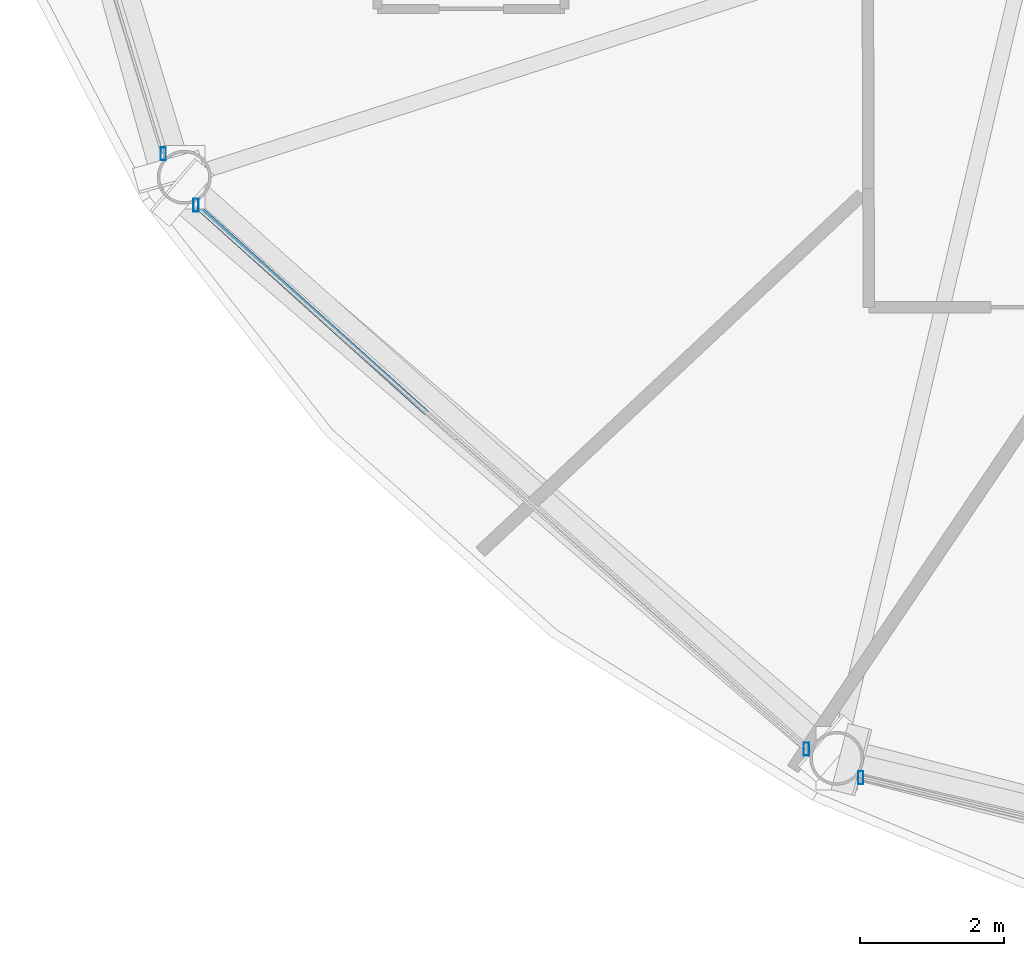
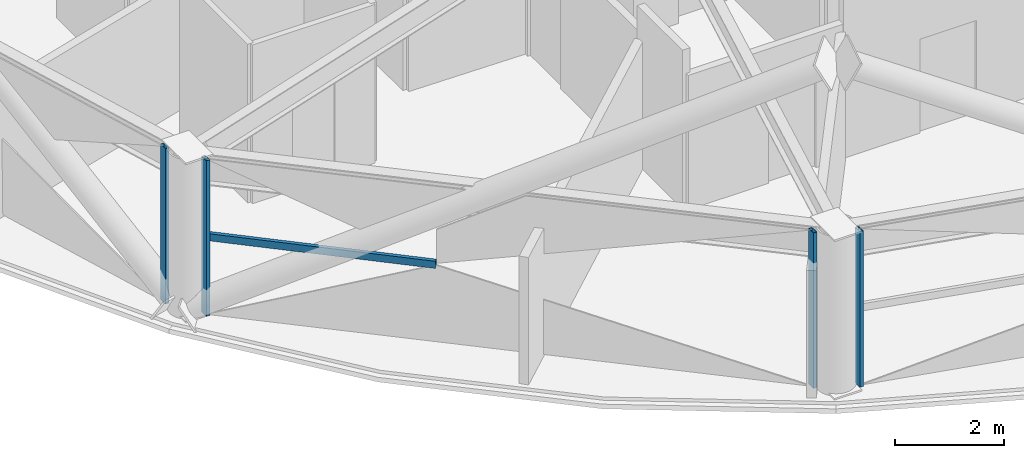
# One storey, part 2 of 29: 5 members, 3 elements without a shape of their own.
"""IFC4 building model written with IfcOpenShell, lengths in metres."""

from ifc_helpers import new_model, si_unit, direction, frame, origin, origin_2d, place, context, subcontext, project, spatial, hollow_rectangle, extrude, material, layer, layer_set, material_profile, profile_set, type_object, element, aggregate, save


model = new_model("IFC4")

# Units and contexts
model_context = context("Model", 3, precision=1e-05, world=origin(), true_north=direction((0.0, 1.0)))
body_context = subcontext(model_context, "Body", "Model", "MODEL_VIEW")
ifc_project = project(units=[si_unit("LENGTHUNIT", "METRE"), si_unit("AREAUNIT", "SQUARE_METRE"), si_unit("VOLUMEUNIT", "CUBIC_METRE"), si_unit("PLANEANGLEUNIT", "RADIAN"), si_unit("MASSUNIT", "GRAM", prefix="KILO")], contexts=[model_context])

# Site, building, storey
site_placement = place(None, origin())
site = spatial("IfcSite", under=ifc_project, at=site_placement, CompositionType="ELEMENT")
building_placement = place(site_placement, origin())
building = spatial("IfcBuilding", under=site, at=building_placement, Name="Vantalir Tower", CompositionType="ELEMENT")
storey_placement = place(building_placement, frame((0.0, 0.0, 157.199951171875)))
storey = spatial("IfcBuildingStorey", under=building, at=storey_placement, Name="L39", CompositionType="ELEMENT", Elevation=157.199951171875)

# Curtain wall, member
ifc_material_1 = material(Name="Champagne-silver PVDF aluminium and double-silver Low-E glass", Category="aluminium")
ifc_layer = layer(ifc_material_1, 0.199951171875)
ifc_layer_set = layer_set([ifc_layer], Name="Champagne-silver PVDF aluminium and double-silver Low-E glass")
curtain_wall_type = type_object("IfcCurtainWallType", Name="CW-DIAMOND-Z2", PredefinedType="USERDEFINED", material=ifc_layer_set)
curtain_wall_1_placement = place(storey_placement, origin())
curtain_wall_1 = element("IfcCurtainWall", 1, at=curtain_wall_1_placement, inside=storey, type_object=curtain_wall_type, Name="L39 Quilted Pyramid-Diamond Curtain Wall S07", ObjectType="UNITISED CURTAIN WALL", PredefinedType="USERDEFINED")
ifc_material_2 = material(Name="Champagne-silver PVDF aluminium 6063-T6", Category="aluminium")
ifc_material_profile_1 = material_profile(ifc_material_2, hollow_rectangle(XDim=0.074951171875, YDim=0.179931640625, WallThickness=0.00390625, at=origin_2d()), Name="Champagne-silver PVDF aluminium 6063-T6")
ifc_profile_set_1 = profile_set([ifc_material_profile_1], Name="Champagne-silver PVDF aluminium 6063-T6")
member_type_1 = type_object("IfcMemberType", Name="CWM-180x75", PredefinedType="MULLION", material=ifc_profile_set_1)
member_1_placement = place(storey_placement, frame((9.74609375, 14.291015625, 0.045166015625), z_axis=(0.0, 0.0, 1.0), x_axis=(1.0, 0.0, 0.0)))
member_1 = element("IfcMember", 2, at=member_1_placement, type_object=member_type_1, Name="CW-L39-S07 Mullion 2", PredefinedType="MULLION", context=body_context, shape_type="SweptSolid", body=[
    extrude(hollow_rectangle(XDim=0.074951171875, YDim=0.179931640625, WallThickness=0.00390625, at=origin_2d()), origin(), (0.0, 0.0, 1.0), 3.47998046875),
])
aggregate(curtain_wall_1, [member_1])

# Curtain wall, members
curtain_wall_2_placement = place(storey_placement, origin())
curtain_wall_2 = element("IfcCurtainWall", 3, at=curtain_wall_2_placement, inside=storey, type_object=curtain_wall_type, Name="L39 Quilted Pyramid-Diamond Curtain Wall S08", ObjectType="UNITISED CURTAIN WALL", PredefinedType="USERDEFINED")
member_2_placement = place(storey_placement, frame((10.200927734375, 13.576904296875, 0.045166015625), z_axis=(0.0, 0.0, 1.0), x_axis=(1.0, 0.0, 0.0)))
member_2 = element("IfcMember", 4, at=member_2_placement, type_object=member_type_1, Name="CW-L39-S08 Mullion 1", PredefinedType="MULLION", context=body_context, shape_type="SweptSolid", body=[
    extrude(hollow_rectangle(XDim=0.074951171875, YDim=0.179931640625, WallThickness=0.00390625, at=origin_2d()), origin(), (0.0, 0.0, 1.0), 3.47998046875),
])
member_3_placement = place(storey_placement, frame((18.68505859375, 6.01611328125, 0.045166015625), z_axis=(0.0, 0.0, 1.0), x_axis=(1.0, 0.0, 0.0)))
member_3 = element("IfcMember", 5, at=member_3_placement, type_object=member_type_1, Name="CW-L39-S08 Mullion 2", PredefinedType="MULLION", context=body_context, shape_type="SweptSolid", body=[
    extrude(hollow_rectangle(XDim=0.074951171875, YDim=0.179931640625, WallThickness=0.00390625, at=origin_2d()), origin(), (0.0, 0.0, 1.0), 3.47998046875),
])

# Curtain wall, member
curtain_wall_3_placement = place(storey_placement, origin())
curtain_wall_3 = element("IfcCurtainWall", 6, at=curtain_wall_3_placement, inside=storey, type_object=curtain_wall_type, Name="L39 Quilted Pyramid-Diamond Curtain Wall S09", ObjectType="UNITISED CURTAIN WALL", PredefinedType="USERDEFINED")
member_4_placement = place(storey_placement, frame((19.44091796875, 5.62109375, 0.045166015625), z_axis=(0.0, 0.0, 1.0), x_axis=(1.0, 0.0, 0.0)))
member_4 = element("IfcMember", 7, at=member_4_placement, type_object=member_type_1, Name="CW-L39-S09 Mullion 1", PredefinedType="MULLION", context=body_context, shape_type="SweptSolid", body=[
    extrude(hollow_rectangle(XDim=0.074951171875, YDim=0.179931640625, WallThickness=0.00390625, at=origin_2d()), origin(), (0.0, 0.0, 1.0), 3.47998046875),
])
aggregate(curtain_wall_3, [member_4])

# Member
ifc_material_profile_2 = material_profile(ifc_material_2, hollow_rectangle(XDim=0.074951171875, YDim=0.159912109375, WallThickness=0.00390625, at=origin_2d()), Name="Champagne-silver PVDF aluminium 6063-T6")
ifc_profile_set_2 = profile_set([ifc_material_profile_2], Name="Champagne-silver PVDF aluminium 6063-T6")
member_type_2 = type_object("IfcMemberType", Name="CWT-160x75", PredefinedType="USERDEFINED", material=ifc_profile_set_2)
member_5_placement = place(storey_placement, frame((10.200927734375, 13.576904296875, 1.78515625), z_axis=(0.742905711405, -0.669396074056, 0.0), x_axis=(0.669396074056, 0.742905711405, 0.0)))
member_5 = element("IfcMember", 8, at=member_5_placement, type_object=member_type_2, Name="CW-L39-S08 Pyramid Fold Ridge Transom", ObjectType="TRANSOM", PredefinedType="USERDEFINED", context=body_context, shape_type="SweptSolid", body=[
    extrude(hollow_rectangle(XDim=0.074951171875, YDim=0.159912109375, WallThickness=0.00390625, at=origin_2d()), origin(), (0.0, 0.0, 1.0), 4.314208984375),
])

aggregate(curtain_wall_2, [member_2, member_3, member_5])

save(model, "model.ifc")
